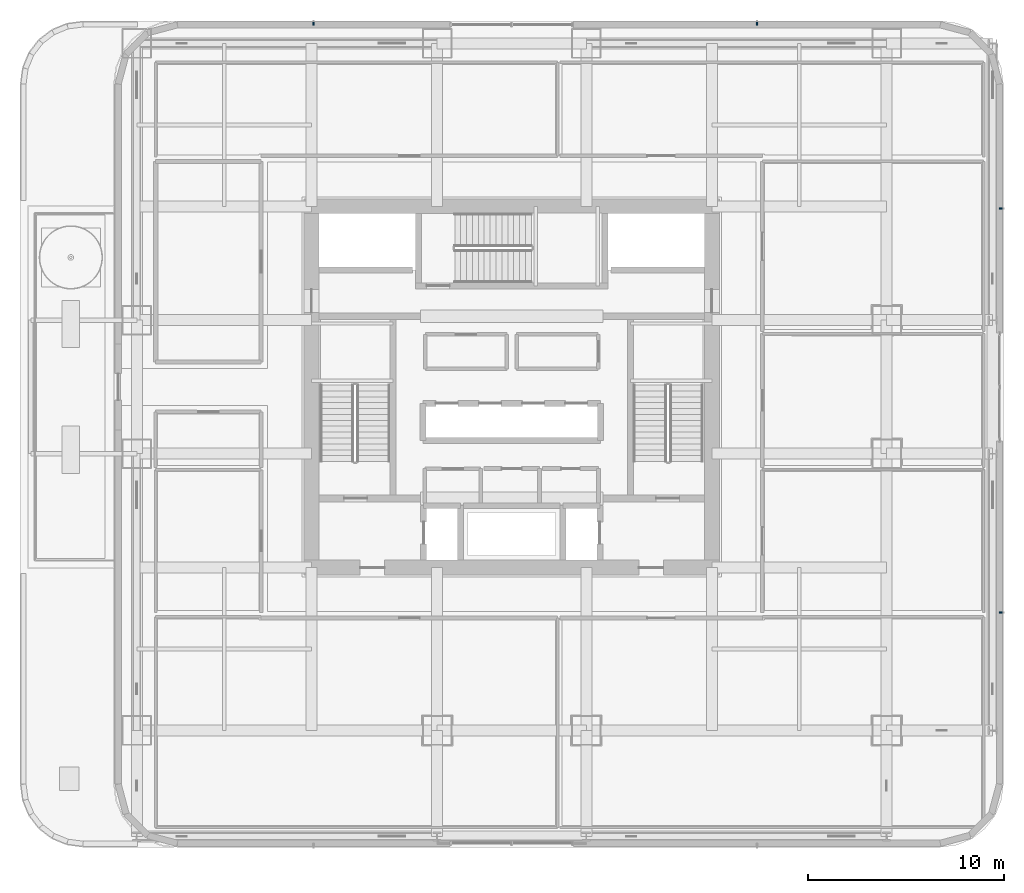
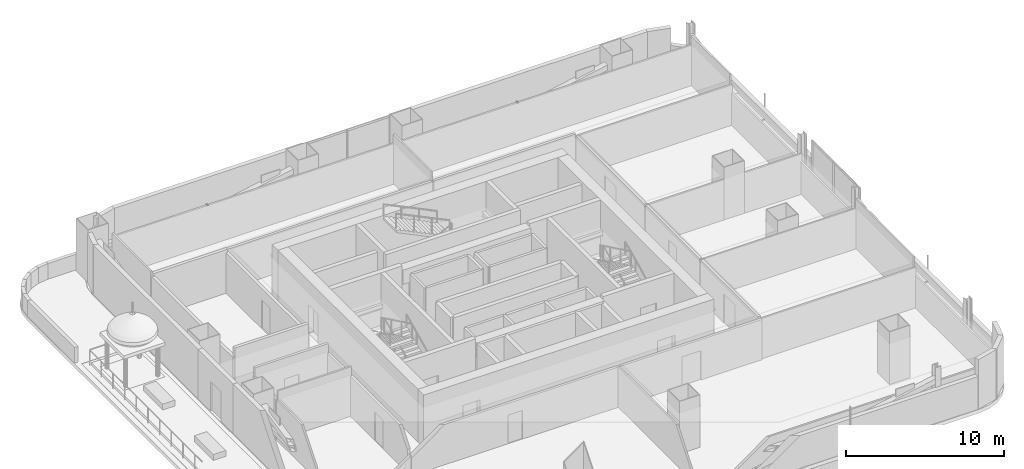
# One storey, part 15 of 27: 4 discrete accessories.
"""IFC4 building model written with IfcOpenShell, lengths in metres."""

from ifc_helpers import new_model, si_unit, direction, frame, origin, origin_2d, place, context, subcontext, project, spatial, rectangle, extrude, material, type_object, element, save


model = new_model("IFC4")

# Units and contexts
model_context = context("Model", 3, precision=1e-05, world=origin(), true_north=direction((0.0, 1.0)))
body_context = subcontext(model_context, "Body", "Model", "MODEL_VIEW")
ifc_project = project(units=[si_unit("LENGTHUNIT", "METRE"), si_unit("AREAUNIT", "SQUARE_METRE"), si_unit("VOLUMEUNIT", "CUBIC_METRE"), si_unit("PLANEANGLEUNIT", "RADIAN"), si_unit("MASSUNIT", "GRAM", prefix="KILO")], contexts=[model_context])

# Site, building, storey
site_placement = place(None, origin())
site = spatial("IfcSite", under=ifc_project, at=site_placement, CompositionType="ELEMENT")
building_placement = place(site_placement, origin())
building = spatial("IfcBuilding", under=site, at=building_placement, Name="Punatoya Terracotta Tower", CompositionType="ELEMENT")
storey_placement = place(building_placement, frame((0.0, 0.0, 60.60009765625)))
storey = spatial("IfcBuildingStorey", under=building, at=storey_placement, Name="L13", CompositionType="ELEMENT", Elevation=60.60009765625)

# Discrete accessories
ifc_material = material(Name="Steel S355", Category="steel")
discrete_accessory_type = type_object("IfcDiscreteAccessoryType", Name="ACC-BRK-220", PredefinedType="BRACKET", material=ifc_material)
for number, where, z_axis, x_axis, name in (
    (1, (24.949951171875, -11.493408203125, 1.449951171875), (0.0, 0.0, 1.0), (0.0, 1.0, 0.0), "L13 Jali Fin Support Bracket E1"),
    (2, (24.949951171875, 9.093505859375, 1.449951171875), (0.0, 0.0, 1.0), (0.0, 1.0, 0.0), "L13 Jali Fin Support Bracket E2"),
    (3, (12.493408203125, 18.550048828125, 1.449951171875), (0.0, 0.0, 1.0), (-1.0, 0.0, 0.0), "L13 Jali Fin Support Bracket N1"),
    (4, (-10.093505859375, 18.550048828125, 1.449951171875), (0.0, 0.0, 1.0), (-1.0, 0.0, 0.0), "L13 Jali Fin Support Bracket N2"),
):
    element("IfcDiscreteAccessory", number, at=place(storey_placement, frame(where, z_axis=z_axis, x_axis=x_axis)), inside=storey, type_object=discrete_accessory_type, Name=name, PredefinedType="BRACKET", context=body_context, shape_type="SweptSolid", body=[
        extrude(rectangle(XDim=0.090087890625, YDim=0.219970703125, at=origin_2d()), origin(), (0.0, 0.0, 1.0), 0.10009765625),
    ])

save(model, "model.ifc")
